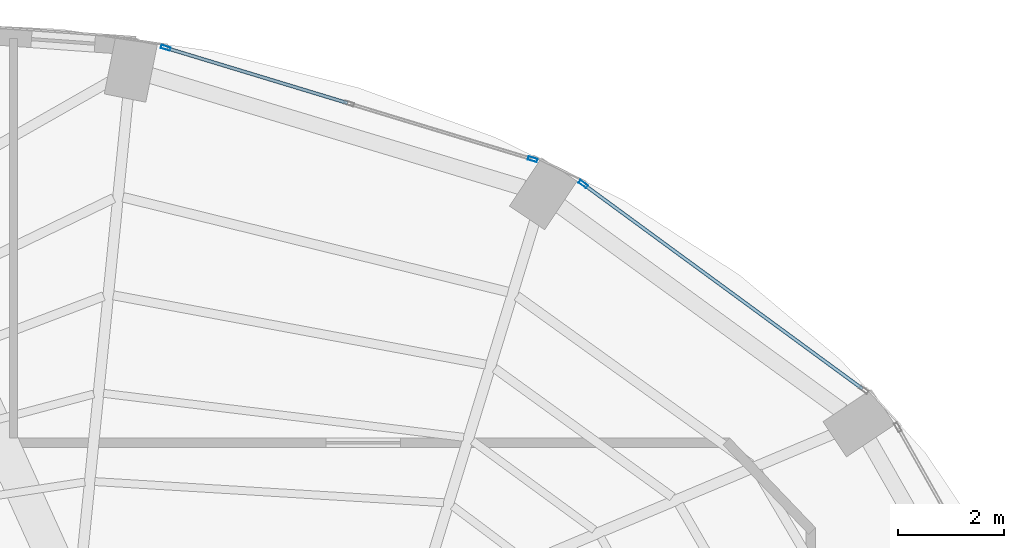
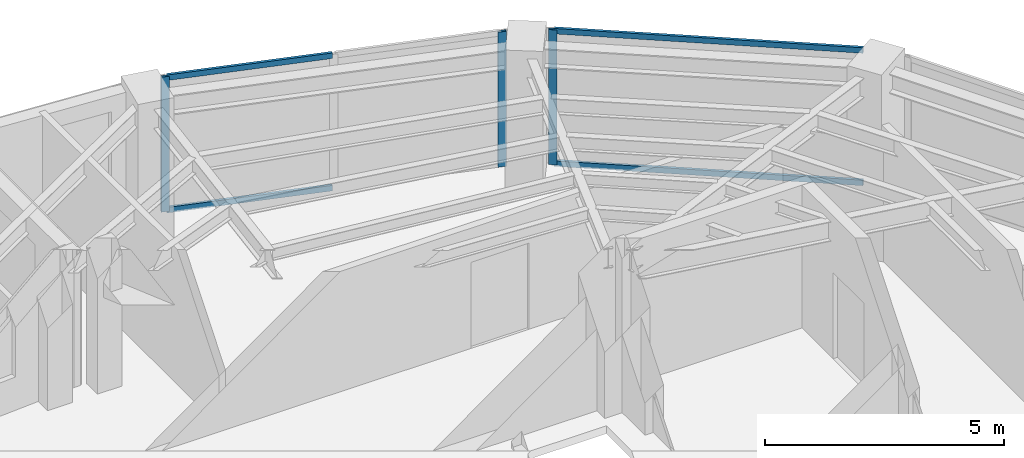
# One storey, part 17 of 23: 7 members, 2 elements without a shape of their own.
"""IFC4 building model written with IfcOpenShell, lengths in metres."""

from ifc_helpers import new_model, si_unit, direction, frame, origin, origin_2d, place, context, subcontext, project, spatial, hollow_rectangle, extrude, material, layer, layer_set, material_profile, profile_set, type_object, element, aggregate, save


model = new_model("IFC4")

# Units and contexts
model_context = context("Model", 3, precision=1e-05, world=origin(), true_north=direction((0.0, 1.0)))
body_context = subcontext(model_context, "Body", "Model", "MODEL_VIEW")
ifc_project = project(units=[si_unit("LENGTHUNIT", "METRE"), si_unit("AREAUNIT", "SQUARE_METRE"), si_unit("VOLUMEUNIT", "CUBIC_METRE"), si_unit("PLANEANGLEUNIT", "RADIAN"), si_unit("MASSUNIT", "GRAM", prefix="KILO")], contexts=[model_context])

# Site, building, storey
site_placement = place(None, origin())
site = spatial("IfcSite", under=ifc_project, at=site_placement, CompositionType="ELEMENT")
building_placement = place(site_placement, origin())
building = spatial("IfcBuilding", under=site, at=building_placement, Name="Lazwardi Medical Tower", CompositionType="ELEMENT")
storey_placement = place(building_placement, frame((0.0, 0.0, 234.9599609375)))
storey = spatial("IfcBuildingStorey", under=building, at=storey_placement, Name="L61", CompositionType="ELEMENT", Elevation=234.9599609375)

# Curtain wall, member
ifc_material_1 = material(Name="Anodised bronze aluminium and solar control glazing", Category="aluminium")
ifc_layer = layer(ifc_material_1, 0.18994140625)
ifc_layer_set = layer_set([ifc_layer], Name="Anodised bronze aluminium and solar control glazing")
curtain_wall_type = type_object("IfcCurtainWallType", Name="CW-SYS-04", PredefinedType="NOTDEFINED", material=ifc_layer_set)
curtain_wall_1_placement = place(storey_placement, origin())
curtain_wall_1 = element("IfcCurtainWall", 1, at=curtain_wall_1_placement, inside=storey, type_object=curtain_wall_type, Name="L61 Unitised bronze curtain wall CW-04", PredefinedType="NOTDEFINED")
ifc_material_2 = material(Name="Anodised bronze aluminium", Category="aluminium")
ifc_material_profile_1 = material_profile(ifc_material_2, hollow_rectangle(XDim=0.06494140625, YDim=0.179931640625, WallThickness=0.00390625, at=origin_2d()), Name="ALU-MULLION 180x65x4")
ifc_profile_set_1 = profile_set([ifc_material_profile_1], Name="Anodised bronze aluminium")
member_type_1 = type_object("IfcMemberType", Name="CW-MUL-03", PredefinedType="MULLION", material=ifc_profile_set_1)
member_1_placement = place(storey_placement, frame((48.75537109375, 43.634765625, 0.0), z_axis=(0.0, 0.0, 1.0), x_axis=(-0.591268230971, -0.806474971121, 0.0)))
member_1 = element("IfcMember", 2, at=member_1_placement, type_object=member_type_1, Name="CW-04 mullion 2", PredefinedType="MULLION", context=body_context, shape_type="SweptSolid", body=[
    extrude(hollow_rectangle(XDim=0.06494140625, YDim=0.179931640625, WallThickness=0.00390625, at=origin_2d()), origin(), (0.0, 0.0, 1.0), 3.447998046875),
])

# Curtain wall, members
curtain_wall_2_placement = place(storey_placement, origin())
curtain_wall_2 = element("IfcCurtainWall", 3, at=curtain_wall_2_placement, inside=storey, type_object=curtain_wall_type, Name="L61 Unitised bronze curtain wall CW-04", PredefinedType="NOTDEFINED")
member_2_placement = place(storey_placement, frame((47.7998046875, 44.103515625, 0.0), z_axis=(0.0, 0.0, 1.0), x_axis=(-0.290581889515, -0.956850126972, 0.0)))
member_2 = element("IfcMember", 4, at=member_2_placement, type_object=member_type_1, Name="CW-04 mullion 1", PredefinedType="MULLION", context=body_context, shape_type="SweptSolid", body=[
    extrude(hollow_rectangle(XDim=0.06494140625, YDim=0.179931640625, WallThickness=0.00390625, at=origin_2d()), origin(), (0.0, 0.0, 1.0), 3.447998046875),
])
member_3_placement = place(storey_placement, frame((40.873046875, 46.20703125, 0.0), z_axis=(0.0, 0.0, 1.0), x_axis=(-0.290581889515, -0.956850126972, 0.0)))
member_3 = element("IfcMember", 5, at=member_3_placement, type_object=member_type_1, Name="CW-04 mullion 3", PredefinedType="MULLION", context=body_context, shape_type="SweptSolid", body=[
    extrude(hollow_rectangle(XDim=0.06494140625, YDim=0.179931640625, WallThickness=0.00390625, at=origin_2d()), origin(), (0.0, 0.0, 1.0), 3.447998046875),
])

# Member
ifc_material_profile_2 = material_profile(ifc_material_2, hollow_rectangle(XDim=0.06494140625, YDim=0.139892578125, WallThickness=0.00341796875, at=origin_2d()), Name="ALU-TRANSOM 140x65x3.5")
ifc_profile_set_2 = profile_set([ifc_material_profile_2], Name="Anodised bronze aluminium")
member_type_2 = type_object("IfcMemberType", Name="CW-TRN-03", PredefinedType="USERDEFINED", material=ifc_profile_set_2)
member_4_placement = place(storey_placement, frame((54.02587890625, 39.770751953125, 0.032470703125), z_axis=(-0.806471831148, 0.591272513791, 0.0), x_axis=(-0.591272513791, -0.806471831148, 0.0)))
member_4 = element("IfcMember", 6, at=member_4_placement, type_object=member_type_2, Name="CW-04 transom 1.1", ObjectType="TRANSOM", PredefinedType="USERDEFINED", context=body_context, shape_type="SweptSolid", body=[
    extrude(hollow_rectangle(XDim=0.06494140625, YDim=0.139892578125, WallThickness=0.00341796875, at=origin_2d()), origin(), (0.0, 0.0, 1.0), 6.5029296875),
])

member_5_placement = place(storey_placement, frame((54.02587890625, 39.770751953125, 3.41552734375), z_axis=(-0.806471831148, 0.591272513791, 0.0), x_axis=(-0.591272513791, -0.806471831148, 0.0)))
member_5 = element("IfcMember", 7, at=member_5_placement, type_object=member_type_2, Name="CW-04 transom 1.2", ObjectType="TRANSOM", PredefinedType="USERDEFINED", context=body_context, shape_type="SweptSolid", body=[
    extrude(hollow_rectangle(XDim=0.06494140625, YDim=0.139892578125, WallThickness=0.00341796875, at=origin_2d()), origin(), (0.0, 0.0, 1.0), 6.5029296875),
])

aggregate(curtain_wall_1, [member_1, member_4, member_5])

member_6_placement = place(storey_placement, frame((44.305419921875, 45.164794921875, 0.032470703125), z_axis=(-0.956862505902, 0.290541124109, 0.0), x_axis=(-0.290541124109, -0.956862505902, 0.0)))
member_6 = element("IfcMember", 8, at=member_6_placement, type_object=member_type_2, Name="CW-04 transom 2.1", ObjectType="TRANSOM", PredefinedType="USERDEFINED", context=body_context, shape_type="SweptSolid", body=[
    extrude(hollow_rectangle(XDim=0.06494140625, YDim=0.139892578125, WallThickness=0.00341796875, at=origin_2d()), origin(), (0.0, 0.0, 1.0), 3.554443359375),
])

member_7_placement = place(storey_placement, frame((44.305419921875, 45.164794921875, 3.41552734375), z_axis=(-0.956862505902, 0.290541124109, 0.0), x_axis=(-0.290541124109, -0.956862505902, 0.0)))
member_7 = element("IfcMember", 9, at=member_7_placement, type_object=member_type_2, Name="CW-04 transom 2.2", ObjectType="TRANSOM", PredefinedType="USERDEFINED", context=body_context, shape_type="SweptSolid", body=[
    extrude(hollow_rectangle(XDim=0.06494140625, YDim=0.139892578125, WallThickness=0.00341796875, at=origin_2d()), origin(), (0.0, 0.0, 1.0), 3.554443359375),
])

aggregate(curtain_wall_2, [member_2, member_3, member_6, member_7])

save(model, "model.ifc")
